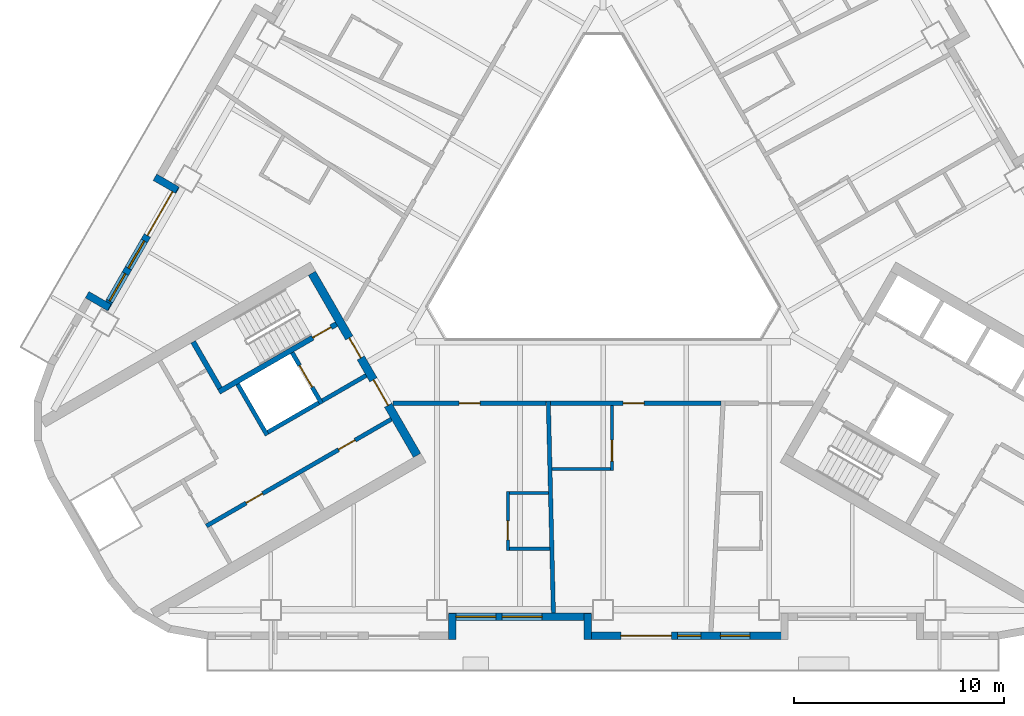
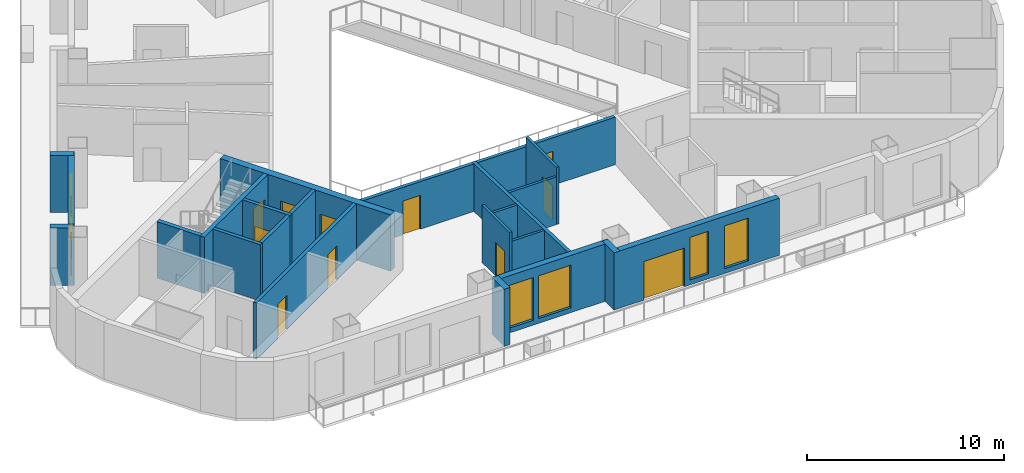
# One storey, part 3 of 13: 23 walls, 12 doors, 6 windows, 18 openings.
"""IFC4 building model written with IfcOpenShell, lengths in metres."""

from ifc_helpers import new_model, si_unit, direction, frame, frame_2d, origin, place, context, subcontext, project, spatial, rectangle, extrude, material, layer, layer_set, type_object, element, fill, save


model = new_model("IFC4")

# Units and contexts
model_context = context("Model", 3, precision=1e-05, world=origin(), true_north=direction((0.0, 1.0)))
body_context = subcontext(model_context, "Body", "Model", "MODEL_VIEW")
ifc_project = project(units=[si_unit("LENGTHUNIT", "METRE"), si_unit("AREAUNIT", "SQUARE_METRE"), si_unit("VOLUMEUNIT", "CUBIC_METRE"), si_unit("PLANEANGLEUNIT", "RADIAN"), si_unit("MASSUNIT", "GRAM", prefix="KILO")], contexts=[model_context])

# Site, building, storey
site_placement = place(None, origin())
site = spatial("IfcSite", under=ifc_project, at=site_placement, CompositionType="ELEMENT")
building_placement = place(site_placement, origin())
building = spatial("IfcBuilding", under=site, at=building_placement, Name="Apuvela Tower Hotel", CompositionType="ELEMENT")
storey_placement = place(building_placement, frame((0.0, 0.0, 79.800048828125)))
storey = spatial("IfcBuildingStorey", under=building, at=storey_placement, Name="L17", CompositionType="ELEMENT", Elevation=79.800048828125)

# Wall, openings, doors
ifc_material_1 = material(Name="Concrete C50/60", Category="concrete")
ifc_layer_1 = layer(ifc_material_1, 0.39990234375)
ifc_layer_set_1 = layer_set([ifc_layer_1], Name="COR-WALL-CORE-400")
wall_type_1 = type_object("IfcWallType", Name="COR-WALL-CORE-400", PredefinedType="SHEAR", material=ifc_layer_set_1)
wall_1_placement = place(storey_placement, frame((-13.844970703125, -2.219970703125, 0.0), z_axis=(0.0, 0.0, 1.0), x_axis=(0.500004234368, -0.866022959057, 0.0)))
wall_1 = element("IfcWall", 1, at=wall_1_placement, inside=storey, type_object=wall_type_1, Name="Core wall SW", PredefinedType="SHEAR", context=body_context, shape_type="SweptSolid", body=[
    extrude(rectangle(XDim=10.0, YDim=0.39990234375, at=frame_2d((5.0, 0.0))), origin(), (0.0, 0.0, 1.0), 3.5),
])
opening_1_placement = place(wall_1_placement, frame((3.550048828125, 0.0, 0.0)))
opening_1 = element("IfcOpeningElement", 2, at=opening_1_placement, cuts=wall_1, Name="Opening W-FD", PredefinedType="OPENING", context=body_context, shape_type="SweptSolid", body=[
    extrude(rectangle(XDim=1.10009765625, YDim=2.10009765625, at=frame_2d((0.550048828125, 1.050048828125))), frame((0.0, 0.2099609375, 0.0), z_axis=(0.0, -1.0, 0.0), x_axis=(1.0, 0.0, 0.0)), (0.0, 0.0, 1.0), 0.419921875),
])
opening_2_placement = place(wall_1_placement, frame((5.85009765625, 0.0, 0.0)))
opening_2 = element("IfcOpeningElement", 3, at=opening_2_placement, cuts=wall_1, Name="Opening W-GD", PredefinedType="OPENING", context=body_context, shape_type="SweptSolid", body=[
    extrude(rectangle(XDim=1.39990234375, YDim=2.10009765625, at=frame_2d((0.699951171875, 1.050048828125))), frame((0.0, 0.2099609375, 0.0), z_axis=(0.0, -1.0, 0.0), x_axis=(1.0, 0.0, 0.0)), (0.0, 0.0, 1.0), 0.419921875),
])
ifc_material_2 = material(Name="Steel fire door, powder coated", Category="steel")
door_type_1 = type_object("IfcDoorType", Name="COR-FD-1100", OperationType="NOTDEFINED", PredefinedType="DOOR", material=ifc_material_2)
door_1_placement = place(opening_1_placement, frame((1.10009765625, 0.0, 0.0), z_axis=(0.0, 0.0, 1.0), x_axis=(-1.0, 0.0, 0.0)))
door_1 = element("IfcDoor", 4, at=door_1_placement, inside=storey, type_object=door_type_1, Name="Firefighting lobby door W-FD", OperationType="SINGLE_SWING_LEFT", OverallHeight=2.10009765625, OverallWidth=1.10009765625, PredefinedType="DOOR", context=body_context, shape_type="SweptSolid", body=[
    extrude(rectangle(XDim=1.10009765625, YDim=2.10009765625, at=frame_2d((0.550048828125, 1.050048828125))), frame((0.0, 0.02490234375, 0.0), z_axis=(0.0, -1.0, 0.0), x_axis=(1.0, 0.0, 0.0)), (0.0, 0.0, 1.0), 0.050048828125),
])
fill(opening_1, door_1)
ifc_material_3 = material(Name="Glazed steel fire door", Category="steel")
door_type_2 = type_object("IfcDoorType", Name="COR-GD-1400", OperationType="DOUBLE_DOOR_SINGLE_SWING", PredefinedType="DOOR", material=ifc_material_3)
door_2_placement = place(opening_2_placement, frame((1.39990234375, 0.0, 0.0), z_axis=(0.0, 0.0, 1.0), x_axis=(-1.0, 0.0, 0.0)))
door_2 = element("IfcDoor", 5, at=door_2_placement, inside=storey, type_object=door_type_2, Name="Lift lobby door W-GD", OperationType="DOUBLE_DOOR_SINGLE_SWING", OverallHeight=2.10009765625, OverallWidth=1.39990234375, PredefinedType="DOOR", context=body_context, shape_type="SweptSolid", body=[
    extrude(rectangle(XDim=1.39990234375, YDim=2.10009765625, at=frame_2d((0.699951171875, 1.050048828125))), frame((0.0, 0.02490234375, 0.0), z_axis=(0.0, -1.0, 0.0), x_axis=(1.0, 0.0, 0.0)), (0.0, 0.0, 1.0), 0.050048828125),
])
fill(opening_2, door_2)

# Wall
ifc_layer_2 = layer(ifc_material_1, 0.199951171875)
ifc_layer_set_2 = layer_set([ifc_layer_2], Name="COR-WALL-SHAFT-200")
wall_type_2 = type_object("IfcWallType", Name="COR-WALL-SHAFT-200", PredefinedType="SHEAR", material=ifc_layer_set_2)
wall_2_placement = place(storey_placement, frame((-17.38134765625, -7.49462890625, 0.0), z_axis=(0.0, 0.0, 1.0), x_axis=(0.500011755427, -0.866018616679, 0.0)))
element("IfcWall", 6, at=wall_2_placement, inside=storey, type_object=wall_type_2, Name="Shaft wall SW", PredefinedType="SHEAR", context=body_context, shape_type="SweptSolid", body=[
    extrude(rectangle(XDim=2.80029296875, YDim=0.199951171875, at=frame_2d((1.400146484375, 0.0))), origin(), (0.0, 0.0, 1.0), 3.5),
])

# Wall, opening, door
wall_3_placement = place(storey_placement, frame((-14.783203125, -5.99462890625, 0.0), z_axis=(0.0, 0.0, 1.0), x_axis=(0.49994636267, -0.866056369097, 0.0)))
wall_3 = element("IfcWall", 7, at=wall_3_placement, inside=storey, type_object=wall_type_2, Name="Shaft wall SW", PredefinedType="SHEAR", context=body_context, shape_type="SweptSolid", body=[
    extrude(rectangle(XDim=2.800048828125, YDim=0.199951171875, at=frame_2d((1.39990234375, 0.0))), origin(), (0.0, 0.0, 1.0), 3.5),
])
opening_3_placement = place(wall_3_placement, frame((0.699951171875, 0.0, 0.0)))
opening_3 = element("IfcOpeningElement", 8, at=opening_3_placement, cuts=wall_3, Name="Opening W-LD-FS2", PredefinedType="OPENING", context=body_context, shape_type="SweptSolid", body=[
    extrude(rectangle(XDim=1.199951171875, YDim=2.10009765625, at=frame_2d((0.60009765625, 1.050048828125))), frame((0.0, 0.10986328125, 0.0), z_axis=(0.0, -1.0, 0.0), x_axis=(1.0, 0.0, 0.0)), (0.0, 0.0, 1.0), 0.219970703125),
])
ifc_material_4 = material(Name="Stainless steel lift landing door", Category="steel")
door_type_3 = type_object("IfcDoorType", Name="COR-LD-1200", OperationType="DOUBLE_DOOR_SLIDING", PredefinedType="DOOR", material=ifc_material_4)
door_3_placement = place(opening_3_placement, origin())
door_3 = element("IfcDoor", 9, at=door_3_placement, inside=storey, type_object=door_type_3, Name="Lift landing door W-LD-FS2", OperationType="DOUBLE_DOOR_SLIDING", OverallHeight=2.10009765625, OverallWidth=1.199951171875, PredefinedType="DOOR", context=body_context, shape_type="SweptSolid", body=[
    extrude(rectangle(XDim=1.199951171875, YDim=2.10009765625, at=frame_2d((0.60009765625, 1.050048828125))), frame((0.0, 0.02490234375, 0.0), z_axis=(0.0, -1.0, 0.0), x_axis=(1.0, 0.0, 0.0)), (0.0, 0.0, 1.0), 0.050048828125),
])
fill(opening_3, door_3)

# Walls
wall_4_placement = place(storey_placement, frame((-13.519775390625, -8.383056640625, 0.0), z_axis=(0.0, 0.0, 1.0), x_axis=(-0.866034573852, -0.49998411664, 0.0)))
element("IfcWall", 10, at=wall_4_placement, inside=storey, type_object=wall_type_2, Name="Shaft wall SW", PredefinedType="SHEAR", context=body_context, shape_type="SweptSolid", body=[
    extrude(rectangle(XDim=2.7998046875, YDim=0.199951171875, at=frame_2d((1.39990234375, 0.0))), origin(), (0.0, 0.0, 1.0), 3.5),
])
wall_5_placement = place(storey_placement, frame((-11.26806640625, -7.0830078125, 0.0), z_axis=(0.0, 0.0, 1.0), x_axis=(-0.866050077142, -0.499957262057, 0.0)))
element("IfcWall", 11, at=wall_5_placement, inside=storey, type_object=wall_type_2, Name="Shaft wall SW", PredefinedType="SHEAR", context=body_context, shape_type="SweptSolid", body=[
    extrude(rectangle(XDim=2.400146484375, YDim=0.199951171875, at=frame_2d((1.2001953125, 0.0))), origin(), (0.0, 0.0, 1.0), 3.5),
])

# Wall, openings, doors
wall_6_placement = place(storey_placement, frame((-10.068115234375, -9.16162109375, 0.0), z_axis=(0.0, 0.0, 1.0), x_axis=(-0.866032725843, -0.499987317609, 0.0)))
wall_6 = element("IfcWall", 12, at=wall_6_placement, inside=storey, type_object=wall_type_2, Name="Shaft wall SW", PredefinedType="SHEAR", context=body_context, shape_type="SweptSolid", body=[
    extrude(rectangle(XDim=10.159912109375, YDim=0.199951171875, at=frame_2d((5.080078125, 0.0))), origin(), (0.0, 0.0, 1.0), 3.5),
])
opening_4_placement = place(wall_6_placement, frame((1.989990234375, 0.0, 0.0)))
opening_4 = element("IfcOpeningElement", 13, at=opening_4_placement, cuts=wall_6, Name="Opening W-RE1", PredefinedType="OPENING", context=body_context, shape_type="SweptSolid", body=[
    extrude(rectangle(XDim=0.89990234375, YDim=2.10009765625, at=frame_2d((0.449951171875, 1.050048828125))), frame((0.0, 0.10986328125, 0.0), z_axis=(0.0, -1.0, 0.0), x_axis=(1.0, 0.0, 0.0)), (0.0, 0.0, 1.0), 0.219970703125),
])
opening_5_placement = place(wall_6_placement, frame((7.070068359375, 0.0, 0.0)))
opening_5 = element("IfcOpeningElement", 14, at=opening_5_placement, cuts=wall_6, Name="Opening W-RE3", PredefinedType="OPENING", context=body_context, shape_type="SweptSolid", body=[
    extrude(rectangle(XDim=0.89990234375, YDim=2.10009765625, at=frame_2d((0.449951171875, 1.050048828125))), frame((0.0, 0.10986328125, 0.0), z_axis=(0.0, -1.0, 0.0), x_axis=(1.0, 0.0, 0.0)), (0.0, 0.0, 1.0), 0.219970703125),
])
door_type_4 = type_object("IfcDoorType", Name="COR-DR-900", OperationType="NOTDEFINED", PredefinedType="DOOR", material=ifc_material_2)
door_4_placement = place(opening_4_placement, origin())
door_4 = element("IfcDoor", 15, at=door_4_placement, inside=storey, type_object=door_type_4, Name="Store door W-RE1", OperationType="SINGLE_SWING_LEFT", OverallHeight=2.10009765625, OverallWidth=0.89990234375, PredefinedType="DOOR", context=body_context, shape_type="SweptSolid", body=[
    extrude(rectangle(XDim=0.89990234375, YDim=2.10009765625, at=frame_2d((0.449951171875, 1.050048828125))), frame((0.0, 0.02490234375, 0.0), z_axis=(0.0, -1.0, 0.0), x_axis=(1.0, 0.0, 0.0)), (0.0, 0.0, 1.0), 0.050048828125),
])
fill(opening_4, door_4)
door_5_placement = place(opening_5_placement, origin())
door_5 = element("IfcDoor", 16, at=door_5_placement, inside=storey, type_object=door_type_4, Name="Store door W-RE3", OperationType="SINGLE_SWING_LEFT", OverallHeight=2.10009765625, OverallWidth=0.89990234375, PredefinedType="DOOR", context=body_context, shape_type="SweptSolid", body=[
    extrude(rectangle(XDim=0.89990234375, YDim=2.10009765625, at=frame_2d((0.449951171875, 1.050048828125))), frame((0.0, 0.02490234375, 0.0), z_axis=(0.0, -1.0, 0.0), x_axis=(1.0, 0.0, 0.0)), (0.0, 0.0, 1.0), 0.050048828125),
])
fill(opening_5, door_5)

# Wall, opening, door
ifc_layer_3 = layer(ifc_material_1, 0.25)
ifc_layer_set_3 = layer_set([ifc_layer_3], Name="COR-WALL-STAIR-250")
wall_type_3 = type_object("IfcWallType", Name="COR-WALL-STAIR-250", PredefinedType="SHEAR", material=ifc_layer_set_3)
wall_7_placement = place(storey_placement, frame((-12.6806640625, -4.636474609375, 0.0), z_axis=(0.0, 0.0, 1.0), x_axis=(-0.866021702275, -0.500006411147, 0.0)))
wall_7 = element("IfcWall", 17, at=wall_7_placement, inside=storey, type_object=wall_type_3, Name="Stair wall SW", PredefinedType="SHEAR", context=body_context, shape_type="SweptSolid", body=[
    extrude(rectangle(XDim=6.4501953125, YDim=0.25, at=frame_2d((3.22509765625, 0.0))), origin(), (0.0, 0.0, 1.0), 3.5),
])
opening_6_placement = place(wall_7_placement, frame((0.300048828125, 0.0, 0.0)))
opening_6 = element("IfcOpeningElement", 18, at=opening_6_placement, cuts=wall_7, Name="Opening W-SD", PredefinedType="OPENING", context=body_context, shape_type="SweptSolid", body=[
    extrude(rectangle(XDim=1.0, YDim=2.10009765625, at=frame_2d((0.5, 1.050048828125))), frame((0.0, 0.135009765625, 0.0), z_axis=(0.0, -1.0, 0.0), x_axis=(1.0, 0.0, 0.0)), (0.0, 0.0, 1.0), 0.27001953125),
])
door_type_5 = type_object("IfcDoorType", Name="COR-SD-1000", OperationType="NOTDEFINED", PredefinedType="DOOR", material=ifc_material_2)
door_6_placement = place(opening_6_placement, frame((1.0, 0.0, 0.0), z_axis=(0.0, 0.0, 1.0), x_axis=(-1.0, 0.0, 0.0)))
door_6 = element("IfcDoor", 19, at=door_6_placement, inside=storey, type_object=door_type_5, Name="Stair door W-SD", OperationType="SINGLE_SWING_LEFT", OverallHeight=2.10009765625, OverallWidth=1.0, PredefinedType="DOOR", context=body_context, shape_type="SweptSolid", body=[
    extrude(rectangle(XDim=1.0, YDim=2.10009765625, at=frame_2d((0.5, 1.050048828125))), frame((0.0, 0.02490234375, 0.0), z_axis=(0.0, -1.0, 0.0), x_axis=(1.0, 0.0, 0.0)), (0.0, 0.0, 1.0), 0.050048828125),
])
fill(opening_6, door_6)

# Walls
wall_8_placement = place(storey_placement, frame((-19.49560546875, -5.482421875, 0.0), z_axis=(0.0, 0.0, 1.0), x_axis=(0.499990435942, -0.866030925526, 0.0)))
element("IfcWall", 20, at=wall_8_placement, inside=storey, type_object=wall_type_3, Name="Stair wall SW", PredefinedType="SHEAR", context=body_context, shape_type="SweptSolid", body=[
    extrude(rectangle(XDim=2.5498046875, YDim=0.25, at=frame_2d((1.27490234375, 0.0))), origin(), (0.0, 0.0, 1.0), 3.5),
])
ifc_material_5 = material(Name="Concrete C40/50, dark pigmented precast panel", Category="concrete")
ifc_layer_4 = layer(ifc_material_5, 0.35009765625)
ifc_layer_set_4 = layer_set([ifc_layer_4], Name="ENV-WALL-350")
wall_type_4 = type_object("IfcWallType", Name="ENV-WALL-350", PredefinedType="SOLIDWALL", material=ifc_layer_set_4)
wall_9_placement = place(storey_placement, frame((-21.3125, 2.345703125, 0.0), z_axis=(0.0, 0.0, 1.0), x_axis=(0.866005645448, -0.500034220881, 0.0)))
element("IfcWall", 21, at=wall_9_placement, inside=storey, type_object=wall_type_4, Name="External wall L17-06", PredefinedType="SOLIDWALL", context=body_context, shape_type="SweptSolid", body=[
    extrude(rectangle(XDim=1.22021484375, YDim=0.35009765625, at=frame_2d((0.610107421875, 0.0))), origin(), (0.0, 0.0, 1.0), 3.550048828125),
])

# Wall, openings, door, windows
wall_10_placement = place(storey_placement, frame((-20.30908203125, 1.93359375, 0.0), z_axis=(0.0, 0.0, 1.0), x_axis=(-0.499992114976, -0.866029956157, 0.0)))
wall_10 = element("IfcWall", 22, at=wall_10_placement, inside=storey, type_object=wall_type_4, Name="External wall L17-07", PredefinedType="SOLIDWALL", context=body_context, shape_type="SweptSolid", body=[
    extrude(rectangle(XDim=6.73974609375, YDim=0.35009765625, at=frame_2d((3.369873046875, 0.0))), origin(), (0.0, 0.0, 1.0), 3.550048828125),
])
opening_7_placement = place(wall_10_placement, frame((0.320068359375, 0.0, 0.0)))
opening_7 = element("IfcOpeningElement", 23, at=opening_7_placement, cuts=wall_10, Name="Opening BD24", PredefinedType="OPENING", context=body_context, shape_type="SweptSolid", body=[
    extrude(rectangle(XDim=2.39990234375, YDim=2.39990234375, at=frame_2d((1.199951171875, 1.199951171875))), frame((0.0, 0.18505859375, 0.0), z_axis=(0.0, -1.0, 0.0), x_axis=(1.0, 0.0, 0.0)), (0.0, 0.0, 1.0), 0.3701171875),
])
opening_8_placement = place(wall_10_placement, frame((3.02001953125, 0.0, 0.300048828125)))
opening_8 = element("IfcOpeningElement", 24, at=opening_8_placement, cuts=wall_10, Name="Opening WN15", PredefinedType="OPENING", context=body_context, shape_type="SweptSolid", body=[
    extrude(rectangle(XDim=1.5, YDim=2.64990234375, at=frame_2d((0.75, 1.324951171875))), frame((0.0, 0.18505859375, 0.0), z_axis=(0.0, -1.0, 0.0), x_axis=(1.0, 0.0, 0.0)), (0.0, 0.0, 1.0), 0.3701171875),
])
opening_9_placement = place(wall_10_placement, frame((4.820068359375, 0.0, 0.300048828125)))
opening_9 = element("IfcOpeningElement", 25, at=opening_9_placement, cuts=wall_10, Name="Opening WN15", PredefinedType="OPENING", context=body_context, shape_type="SweptSolid", body=[
    extrude(rectangle(XDim=1.5, YDim=2.64990234375, at=frame_2d((0.75, 1.324951171875))), frame((0.0, 0.18505859375, 0.0), z_axis=(0.0, -1.0, 0.0), x_axis=(1.0, 0.0, 0.0)), (0.0, 0.0, 1.0), 0.3701171875),
])
ifc_material_6 = material(Name="Aluminium 6063-T6, dark bronze anodised frame with dark tinted laminated glass", Category="aluminium")
door_type_6 = type_object("IfcDoorType", Name="ENV-DOOR-BALCONY-2400x2400", OperationType="SLIDING_TO_LEFT", PredefinedType="DOOR", material=ifc_material_6)
door_7_placement = place(opening_7_placement, frame((2.39990234375, 0.0, 0.0), z_axis=(0.0, 0.0, 1.0), x_axis=(-1.0, 0.0, 0.0)))
door_7 = element("IfcDoor", 26, at=door_7_placement, inside=storey, type_object=door_type_6, Name="Balcony door BD24", OperationType="SLIDING_TO_LEFT", OverallHeight=2.39990234375, OverallWidth=2.39990234375, PredefinedType="DOOR", context=body_context, shape_type="SweptSolid", body=[
    extrude(rectangle(XDim=2.39990234375, YDim=2.39990234375, at=frame_2d((1.199951171875, 1.199951171875))), frame((0.0, 0.02490234375, 0.0), z_axis=(0.0, -1.0, 0.0), x_axis=(1.0, 0.0, 0.0)), (0.0, 0.0, 1.0), 0.050048828125),
])
fill(opening_7, door_7)
ifc_material_7 = material(Name="Glass, dark tinted laminated insulated glazing unit", Category="glass")
window_type_1 = type_object("IfcWindowType", Name="ENV-WIN-1500x2650", PartitioningType="SINGLE_PANEL", PredefinedType="WINDOW", material=ifc_material_7)
window_1_placement = place(opening_8_placement, origin())
window_1 = element("IfcWindow", 27, at=window_1_placement, inside=storey, type_object=window_type_1, Name="Window WN15", OverallHeight=2.64990234375, OverallWidth=1.5, PartitioningType="SINGLE_PANEL", PredefinedType="WINDOW", context=body_context, shape_type="SweptSolid", body=[
    extrude(rectangle(XDim=1.5, YDim=2.64990234375, at=frame_2d((0.75, 1.324951171875))), frame((0.0, 0.030029296875, 0.0), z_axis=(0.0, -1.0, 0.0), x_axis=(1.0, 0.0, 0.0)), (0.0, 0.0, 1.0), 0.06005859375),
])
fill(opening_8, window_1)
window_2_placement = place(opening_9_placement, origin())
window_2 = element("IfcWindow", 28, at=window_2_placement, inside=storey, type_object=window_type_1, Name="Window WN15", OverallHeight=2.64990234375, OverallWidth=1.5, PartitioningType="SINGLE_PANEL", PredefinedType="WINDOW", context=body_context, shape_type="SweptSolid", body=[
    extrude(rectangle(XDim=1.5, YDim=2.64990234375, at=frame_2d((0.75, 1.324951171875))), frame((0.0, 0.030029296875, 0.0), z_axis=(0.0, -1.0, 0.0), x_axis=(1.0, 0.0, 0.0)), (0.0, 0.0, 1.0), 0.06005859375),
])
fill(opening_9, window_2)

# Walls
for number, where, z_axis, x_axis, name in (
    (29, (-23.48095703125, -3.85009765625, 0.0), (0.0, 0.0, 1.0), (-0.866092288191, 0.499884134912, 0.0), "External wall L17-08"),
    (30, (-7.175048828125, -19.6298828125, 0.0), (0.0, 0.0, 1.0), (0.0, 1.0, 0.0), "External wall L17-18"),
):
    element("IfcWall", number, at=place(storey_placement, frame(where, z_axis=z_axis, x_axis=x_axis)), inside=storey, type_object=wall_type_4, Name=name, PredefinedType="SOLIDWALL", context=body_context, shape_type="SweptSolid", body=[
        extrude(rectangle(XDim=1.219970703125, YDim=0.35009765625, at=frame_2d((0.60986328125, 0.0))), origin(), (0.0, 0.0, 1.0), 3.550048828125),
    ])

# Wall, openings, windows
wall_11_placement = place(storey_placement, frame((-7.320068359375, -18.554931640625, 0.0), z_axis=(0.0, 0.0, 1.0), x_axis=(1.0, 0.0, 0.0)))
wall_11 = element("IfcWall", 31, at=wall_11_placement, inside=storey, type_object=wall_type_4, Name="External wall L17-19", PredefinedType="SOLIDWALL", context=body_context, shape_type="SweptSolid", body=[
    extrude(rectangle(XDim=6.739990234375, YDim=0.35009765625, at=frame_2d((3.3701171875, 0.0))), origin(), (0.0, 0.0, 1.0), 3.550048828125),
])
opening_10_placement = place(wall_11_placement, frame((0.3203125, 0.0, 0.300048828125)))
opening_10 = element("IfcOpeningElement", 32, at=opening_10_placement, cuts=wall_11, Name="Opening WN19", PredefinedType="OPENING", context=body_context, shape_type="SweptSolid", body=[
    extrude(rectangle(XDim=1.89990234375, YDim=2.64990234375, at=frame_2d((0.949951171875, 1.324951171875))), frame((0.0, 0.18505859375, 0.0), z_axis=(0.0, -1.0, 0.0), x_axis=(1.0, 0.0, 0.0)), (0.0, 0.0, 1.0), 0.3701171875),
])
opening_11_placement = place(wall_11_placement, frame((2.5205078125, 0.0, 0.300048828125)))
opening_11 = element("IfcOpeningElement", 33, at=opening_11_placement, cuts=wall_11, Name="Opening WN19", PredefinedType="OPENING", context=body_context, shape_type="SweptSolid", body=[
    extrude(rectangle(XDim=1.89990234375, YDim=2.64990234375, at=frame_2d((0.949951171875, 1.324951171875))), frame((0.0, 0.18505859375, 0.0), z_axis=(0.0, -1.0, 0.0), x_axis=(1.0, 0.0, 0.0)), (0.0, 0.0, 1.0), 0.3701171875),
])
window_type_2 = type_object("IfcWindowType", Name="ENV-WIN-1900x2650", PartitioningType="SINGLE_PANEL", PredefinedType="WINDOW", material=ifc_material_7)
window_3_placement = place(opening_10_placement, origin())
window_3 = element("IfcWindow", 34, at=window_3_placement, inside=storey, type_object=window_type_2, Name="Window WN19", OverallHeight=2.64990234375, OverallWidth=1.89990234375, PartitioningType="SINGLE_PANEL", PredefinedType="WINDOW", context=body_context, shape_type="SweptSolid", body=[
    extrude(rectangle(XDim=1.89990234375, YDim=2.64990234375, at=frame_2d((0.949951171875, 1.324951171875))), frame((0.0, 0.030029296875, 0.0), z_axis=(0.0, -1.0, 0.0), x_axis=(1.0, 0.0, 0.0)), (0.0, 0.0, 1.0), 0.06005859375),
])
fill(opening_10, window_3)
window_4_placement = place(opening_11_placement, origin())
window_4 = element("IfcWindow", 35, at=window_4_placement, inside=storey, type_object=window_type_2, Name="Window WN19", OverallHeight=2.64990234375, OverallWidth=1.89990234375, PartitioningType="SINGLE_PANEL", PredefinedType="WINDOW", context=body_context, shape_type="SweptSolid", body=[
    extrude(rectangle(XDim=1.89990234375, YDim=2.64990234375, at=frame_2d((0.949951171875, 1.324951171875))), frame((0.0, 0.030029296875, 0.0), z_axis=(0.0, -1.0, 0.0), x_axis=(1.0, 0.0, 0.0)), (0.0, 0.0, 1.0), 0.06005859375),
])
fill(opening_11, window_4)

# Wall
wall_12_placement = place(storey_placement, frame((-0.72509765625, -18.409912109375, 0.0), z_axis=(0.0, 0.0, 1.0), x_axis=(0.0, -1.0, 0.0)))
element("IfcWall", 36, at=wall_12_placement, inside=storey, type_object=wall_type_4, Name="External wall L17-20", PredefinedType="SOLIDWALL", context=body_context, shape_type="SweptSolid", body=[
    extrude(rectangle(XDim=1.219970703125, YDim=0.35009765625, at=frame_2d((0.60986328125, 0.0))), origin(), (0.0, 0.0, 1.0), 3.550048828125),
])

# Wall, openings, door, windows
wall_13_placement = place(storey_placement, frame((-0.89990234375, -19.455078125, 0.0), z_axis=(0.0, 0.0, 1.0), x_axis=(1.0, 0.0, 0.0)))
wall_13 = element("IfcWall", 37, at=wall_13_placement, inside=storey, type_object=wall_type_4, Name="External wall L17-21", PredefinedType="SOLIDWALL", context=body_context, shape_type="SweptSolid", body=[
    extrude(rectangle(XDim=9.699951171875, YDim=0.35009765625, at=frame_2d((4.85009765625, 0.0))), origin(), (0.0, 0.0, 1.0), 3.550048828125),
])
opening_12_placement = place(wall_13_placement, frame((1.75, 0.0, 0.0)))
opening_12 = element("IfcOpeningElement", 38, at=opening_12_placement, cuts=wall_13, Name="Opening BD24", PredefinedType="OPENING", context=body_context, shape_type="SweptSolid", body=[
    extrude(rectangle(XDim=2.39990234375, YDim=2.39990234375, at=frame_2d((1.199951171875, 1.199951171875))), frame((0.0, 0.18505859375, 0.0), z_axis=(0.0, -1.0, 0.0), x_axis=(1.0, 0.0, 0.0)), (0.0, 0.0, 1.0), 0.3701171875),
])
opening_13_placement = place(wall_13_placement, frame((4.449951171875, 0.0, 0.300048828125)))
opening_13 = element("IfcOpeningElement", 39, at=opening_13_placement, cuts=wall_13, Name="Opening WN11", PredefinedType="OPENING", context=body_context, shape_type="SweptSolid", body=[
    extrude(rectangle(XDim=1.10009765625, YDim=2.64990234375, at=frame_2d((0.550048828125, 1.324951171875))), frame((0.0, 0.18505859375, 0.0), z_axis=(0.0, -1.0, 0.0), x_axis=(1.0, 0.0, 0.0)), (0.0, 0.0, 1.0), 0.3701171875),
])
opening_14_placement = place(wall_13_placement, frame((6.48046875, 0.0, 0.300048828125)))
opening_14 = element("IfcOpeningElement", 40, at=opening_14_placement, cuts=wall_13, Name="Opening WN14", PredefinedType="OPENING", context=body_context, shape_type="SweptSolid", body=[
    extrude(rectangle(XDim=1.39990234375, YDim=2.64990234375, at=frame_2d((0.699951171875, 1.324951171875))), frame((0.0, 0.18505859375, 0.0), z_axis=(0.0, -1.0, 0.0), x_axis=(1.0, 0.0, 0.0)), (0.0, 0.0, 1.0), 0.3701171875),
])
door_8_placement = place(opening_12_placement, frame((2.39990234375, 0.0, 0.0), z_axis=(0.0, 0.0, 1.0), x_axis=(-1.0, 0.0, 0.0)))
door_8 = element("IfcDoor", 41, at=door_8_placement, inside=storey, type_object=door_type_6, Name="Balcony door BD24", OperationType="SLIDING_TO_LEFT", OverallHeight=2.39990234375, OverallWidth=2.39990234375, PredefinedType="DOOR", context=body_context, shape_type="SweptSolid", body=[
    extrude(rectangle(XDim=2.39990234375, YDim=2.39990234375, at=frame_2d((1.199951171875, 1.199951171875))), frame((0.0, 0.02490234375, 0.0), z_axis=(0.0, -1.0, 0.0), x_axis=(1.0, 0.0, 0.0)), (0.0, 0.0, 1.0), 0.050048828125),
])
fill(opening_12, door_8)
window_type_3 = type_object("IfcWindowType", Name="ENV-WIN-1100x2650", PartitioningType="SINGLE_PANEL", PredefinedType="WINDOW", material=ifc_material_7)
window_5_placement = place(opening_13_placement, origin())
window_5 = element("IfcWindow", 42, at=window_5_placement, inside=storey, type_object=window_type_3, Name="Window WN11", OverallHeight=2.64990234375, OverallWidth=1.10009765625, PartitioningType="SINGLE_PANEL", PredefinedType="WINDOW", context=body_context, shape_type="SweptSolid", body=[
    extrude(rectangle(XDim=1.10009765625, YDim=2.64990234375, at=frame_2d((0.550048828125, 1.324951171875))), frame((0.0, 0.030029296875, 0.0), z_axis=(0.0, -1.0, 0.0), x_axis=(1.0, 0.0, 0.0)), (0.0, 0.0, 1.0), 0.06005859375),
])
fill(opening_13, window_5)
window_type_4 = type_object("IfcWindowType", Name="ENV-WIN-1400x2650", PartitioningType="SINGLE_PANEL", PredefinedType="WINDOW", material=ifc_material_7)
window_6_placement = place(opening_14_placement, origin())
window_6 = element("IfcWindow", 43, at=window_6_placement, inside=storey, type_object=window_type_4, Name="Window WN14", OverallHeight=2.64990234375, OverallWidth=1.39990234375, PartitioningType="SINGLE_PANEL", PredefinedType="WINDOW", context=body_context, shape_type="SweptSolid", body=[
    extrude(rectangle(XDim=1.39990234375, YDim=2.64990234375, at=frame_2d((0.699951171875, 1.324951171875))), frame((0.0, 0.030029296875, 0.0), z_axis=(0.0, -1.0, 0.0), x_axis=(1.0, 0.0, 0.0)), (0.0, 0.0, 1.0), 0.06005859375),
])
fill(opening_14, window_6)

# Wall
ifc_material_8 = material(Name="Gypsum board partition on twin steel stud", Category="steel")
ifc_layer_5 = layer(ifc_material_8, 0.199951171875)
ifc_layer_set_5 = layer_set([ifc_layer_5], Name="GST-PW1")
wall_type_5 = type_object("IfcWallType", Name="GST-PW1", PredefinedType="PARTITIONING", material=ifc_layer_set_5)
wall_14_placement = place(storey_placement, frame((-2.36181640625, -18.3798828125, 0.0), z_axis=(0.0, 0.0, 1.0), x_axis=(-0.024092600153, 0.999709731181, 0.0)))
element("IfcWall", 44, at=wall_14_placement, inside=storey, type_object=wall_type_5, Name="L17 partition 01", PredefinedType="PARTITIONING", context=body_context, shape_type="SweptSolid", body=[
    extrude(rectangle(XDim=10.082763671875, YDim=0.199951171875, at=frame_2d((5.04150390625, 0.0))), origin(), (0.0, 0.0, 1.0), 2.9599609375),
])

# Wall, opening, door
ifc_material_9 = material(Name="Gypsum board corridor wall on twin steel stud, acoustic", Category="steel")
ifc_layer_6 = layer(ifc_material_9, 0.199951171875)
ifc_layer_set_6 = layer_set([ifc_layer_6], Name="GST-PW2")
wall_type_6 = type_object("IfcWallType", Name="GST-PW2", PredefinedType="PARTITIONING", material=ifc_layer_set_6)
wall_15_placement = place(storey_placement, frame((-2.702392578125, -8.39990234375, 0.0), z_axis=(0.0, 0.0, 1.0), x_axis=(-1.0, 0.0, 0.0)))
wall_15 = element("IfcWall", 45, at=wall_15_placement, inside=storey, type_object=wall_type_6, Name="L17 partition 08", PredefinedType="PARTITIONING", context=body_context, shape_type="SweptSolid", body=[
    extrude(rectangle(XDim=7.285888671875, YDim=0.199951171875, at=frame_2d((3.64306640625, 0.0))), origin(), (0.0, 0.0, 1.0), 2.949951171875),
])
opening_15_placement = place(wall_15_placement, frame((3.142822265625, 0.0, 0.0)))
opening_15 = element("IfcOpeningElement", 46, at=opening_15_placement, cuts=wall_15, Name="Opening GD05-02", PredefinedType="OPENING", context=body_context, shape_type="SweptSolid", body=[
    extrude(rectangle(XDim=1.0, YDim=2.10009765625, at=frame_2d((0.5, 1.050048828125))), frame((0.0, 0.10986328125, 0.0), z_axis=(0.0, -1.0, 0.0), x_axis=(1.0, 0.0, 0.0)), (0.0, 0.0, 1.0), 0.219970703125),
])
ifc_material_10 = material(Name="Timber door leaf in steel frame", Category="steel")
door_type_7 = type_object("IfcDoorType", Name="GST-D1", OperationType="NOTDEFINED", PredefinedType="DOOR", material=ifc_material_10)
door_9_placement = place(opening_15_placement, origin())
door_9 = element("IfcDoor", 47, at=door_9_placement, inside=storey, type_object=door_type_7, Name="Door L17-02", OperationType="SINGLE_SWING_LEFT", OverallHeight=2.10009765625, OverallWidth=1.0, PredefinedType="DOOR", context=body_context, shape_type="SweptSolid", body=[
    extrude(rectangle(XDim=1.0, YDim=2.10009765625, at=frame_2d((0.5, 1.050048828125))), frame((0.0, 0.02490234375, 0.0), z_axis=(0.0, -1.0, 0.0), x_axis=(1.0, 0.0, 0.0)), (0.0, 0.0, 1.0), 0.050048828125),
])
fill(opening_15, door_9)

wall_16_placement = place(storey_placement, frame((5.60498046875, -8.39990234375, 0.0), z_axis=(0.0, 0.0, 1.0), x_axis=(-1.0, 0.0, 0.0)))
wall_16 = element("IfcWall", 48, at=wall_16_placement, inside=storey, type_object=wall_type_6, Name="L17 partition 12", PredefinedType="PARTITIONING", context=body_context, shape_type="SweptSolid", body=[
    extrude(rectangle(XDim=8.107421875, YDim=0.199951171875, at=frame_2d((4.0537109375, 0.0))), origin(), (0.0, 0.0, 1.0), 2.949951171875),
])
opening_16_placement = place(wall_16_placement, frame((3.655029296875, 0.0, 0.0)))
opening_16 = element("IfcOpeningElement", 49, at=opening_16_placement, cuts=wall_16, Name="Opening GD05-04", PredefinedType="OPENING", context=body_context, shape_type="SweptSolid", body=[
    extrude(rectangle(XDim=1.0, YDim=2.10009765625, at=frame_2d((0.5, 1.050048828125))), frame((0.0, 0.10986328125, 0.0), z_axis=(0.0, -1.0, 0.0), x_axis=(1.0, 0.0, 0.0)), (0.0, 0.0, 1.0), 0.219970703125),
])
door_10_placement = place(opening_16_placement, origin())
door_10 = element("IfcDoor", 50, at=door_10_placement, inside=storey, type_object=door_type_7, Name="Door L17-04", OperationType="SINGLE_SWING_LEFT", OverallHeight=2.10009765625, OverallWidth=1.0, PredefinedType="DOOR", context=body_context, shape_type="SweptSolid", body=[
    extrude(rectangle(XDim=1.0, YDim=2.10009765625, at=frame_2d((0.5, 1.050048828125))), frame((0.0, 0.02490234375, 0.0), z_axis=(0.0, -1.0, 0.0), x_axis=(1.0, 0.0, 0.0)), (0.0, 0.0, 1.0), 0.050048828125),
])
fill(opening_16, door_10)

ifc_material_11 = material(Name="Moisture-resistant gypsum board wet wall on steel stud", Category="steel")
ifc_layer_7 = layer(ifc_material_11, 0.14990234375)
ifc_layer_set_7 = layer_set([ifc_layer_7], Name="GST-PW3")
wall_type_7 = type_object("IfcWallType", Name="GST-PW3", PredefinedType="PARTITIONING", material=ifc_layer_set_7)
wall_17_placement = place(storey_placement, frame((-4.526123046875, -12.60009765625, 0.0), z_axis=(0.0, 0.0, 1.0), x_axis=(0.0, -1.0, 0.0)))
wall_17 = element("IfcWall", 51, at=wall_17_placement, inside=storey, type_object=wall_type_7, Name="L17 partition 09", PredefinedType="PARTITIONING", context=body_context, shape_type="SweptSolid", body=[
    extrude(rectangle(XDim=2.7998046875, YDim=0.14990234375, at=frame_2d((1.39990234375, 0.0))), origin(), (0.0, 0.0, 1.0), 3.550048828125),
])
opening_17_placement = place(wall_17_placement, frame((1.39990234375, 0.0, 0.0)))
opening_17 = element("IfcOpeningElement", 52, at=opening_17_placement, cuts=wall_17, Name="Opening GD05-01", PredefinedType="OPENING", context=body_context, shape_type="SweptSolid", body=[
    extrude(rectangle(XDim=0.89990234375, YDim=2.10009765625, at=frame_2d((0.449951171875, 1.050048828125))), frame((0.0, 0.0849609375, 0.0), z_axis=(0.0, -1.0, 0.0), x_axis=(1.0, 0.0, 0.0)), (0.0, 0.0, 1.0), 0.169921875),
])
door_type_8 = type_object("IfcDoorType", Name="GST-D2", OperationType="NOTDEFINED", PredefinedType="DOOR", material=ifc_material_10)
door_11_placement = place(opening_17_placement, origin())
door_11 = element("IfcDoor", 53, at=door_11_placement, inside=storey, type_object=door_type_8, Name="Door L17-01", OperationType="SINGLE_SWING_RIGHT", OverallHeight=2.10009765625, OverallWidth=0.89990234375, PredefinedType="DOOR", context=body_context, shape_type="SweptSolid", body=[
    extrude(rectangle(XDim=0.89990234375, YDim=2.10009765625, at=frame_2d((0.449951171875, 1.050048828125))), frame((0.0, 0.02490234375, 0.0), z_axis=(0.0, -1.0, 0.0), x_axis=(1.0, 0.0, 0.0)), (0.0, 0.0, 1.0), 0.050048828125),
])
fill(opening_17, door_11)

# Walls
wall_18_placement = place(storey_placement, frame((-4.451171875, -15.324951171875, 0.0), z_axis=(0.0, 0.0, 1.0), x_axis=(1.0, 0.0, 0.0)))
element("IfcWall", 54, at=wall_18_placement, inside=storey, type_object=wall_type_7, Name="L17 partition 10", PredefinedType="PARTITIONING", context=body_context, shape_type="SweptSolid", body=[
    extrude(rectangle(XDim=1.915771484375, YDim=0.14990234375, at=frame_2d((0.9580078125, 0.0))), origin(), (0.0, 0.0, 1.0), 2.949951171875),
])
wall_19_placement = place(storey_placement, frame((-4.451171875, -12.675048828125, 0.0), z_axis=(0.0, 0.0, 1.0), x_axis=(1.0, 0.0, 0.0)))
element("IfcWall", 55, at=wall_19_placement, inside=storey, type_object=wall_type_7, Name="L17 partition 11", PredefinedType="PARTITIONING", context=body_context, shape_type="SweptSolid", body=[
    extrude(rectangle(XDim=1.851806640625, YDim=0.14990234375, at=frame_2d((0.92578125, 0.0))), origin(), (0.0, 0.0, 1.0), 2.949951171875),
])

# Wall, opening, door
wall_20_placement = place(storey_placement, frame((0.425048828125, -11.60009765625, 0.0), z_axis=(0.0, 0.0, 1.0), x_axis=(0.0, 1.0, 0.0)))
wall_20 = element("IfcWall", 56, at=wall_20_placement, inside=storey, type_object=wall_type_7, Name="L17 partition 13", PredefinedType="PARTITIONING", context=body_context, shape_type="SweptSolid", body=[
    extrude(rectangle(XDim=3.10009765625, YDim=0.14990234375, at=frame_2d((1.550048828125, 0.0))), origin(), (0.0, 0.0, 1.0), 3.550048828125),
])
opening_18_placement = place(wall_20_placement, frame((0.449951171875, 0.0, 0.0)))
opening_18 = element("IfcOpeningElement", 57, at=opening_18_placement, cuts=wall_20, Name="Opening GD05-03", PredefinedType="OPENING", context=body_context, shape_type="SweptSolid", body=[
    extrude(rectangle(XDim=1.0, YDim=2.10009765625, at=frame_2d((0.5, 1.050048828125))), frame((0.0, 0.0849609375, 0.0), z_axis=(0.0, -1.0, 0.0), x_axis=(1.0, 0.0, 0.0)), (0.0, 0.0, 1.0), 0.169921875),
])
door_12_placement = place(opening_18_placement, origin())
door_12 = element("IfcDoor", 58, at=door_12_placement, inside=storey, type_object=door_type_7, Name="Door L17-03", OperationType="SINGLE_SWING_LEFT", OverallHeight=2.10009765625, OverallWidth=1.0, PredefinedType="DOOR", context=body_context, shape_type="SweptSolid", body=[
    extrude(rectangle(XDim=1.0, YDim=2.10009765625, at=frame_2d((0.5, 1.050048828125))), frame((0.0, 0.02490234375, 0.0), z_axis=(0.0, -1.0, 0.0), x_axis=(1.0, 0.0, 0.0)), (0.0, 0.0, 1.0), 0.050048828125),
])
fill(opening_18, door_12)

# Wall
wall_21_placement = place(storey_placement, frame((-2.427001953125, -11.52490234375, 0.0), z_axis=(0.0, 0.0, 1.0), x_axis=(1.0, 0.0, 0.0)))
element("IfcWall", 59, at=wall_21_placement, inside=storey, type_object=wall_type_7, Name="L17 partition 14", PredefinedType="PARTITIONING", context=body_context, shape_type="SweptSolid", body=[
    extrude(rectangle(XDim=2.777099609375, YDim=0.14990234375, at=frame_2d((1.388671875, 0.0))), origin(), (0.0, 0.0, 1.0), 2.949951171875),
])

save(model, "model.ifc")
